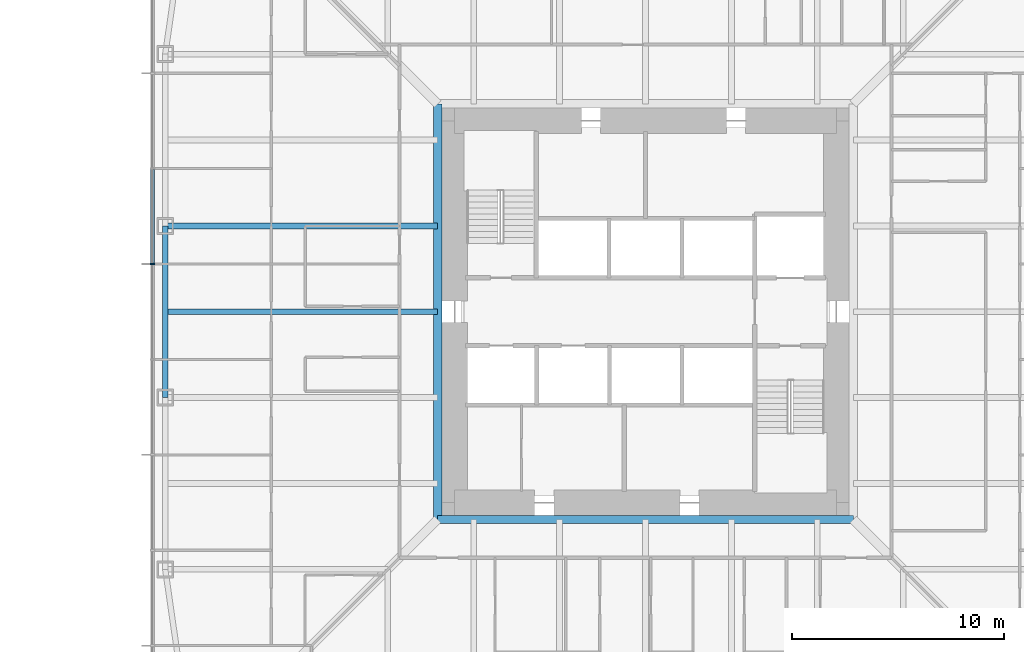
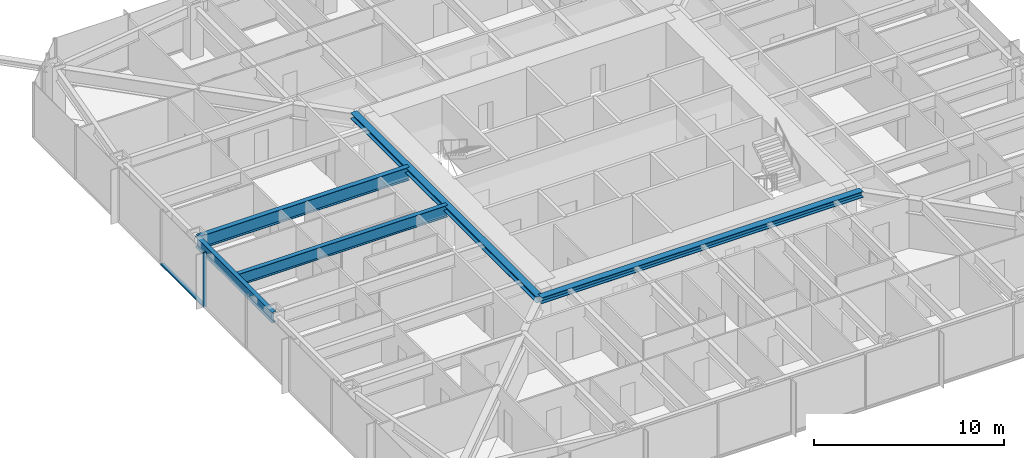
# One storey, part 4 of 26: 5 beams, 2 members, 1 element without a shape of its own.
"""IFC4 building model written with IfcOpenShell, lengths in metres."""

from ifc_helpers import new_model, si_unit, direction, frame, origin, origin_2d, place, context, subcontext, project, spatial, rectangle, i_section, extrude, material, material_profile, profile_set, type_object, element, aggregate, save


model = new_model("IFC4")

# Units and contexts
model_context = context("Model", 3, precision=1e-05, world=origin(), true_north=direction((0.0, 1.0)))
body_context = subcontext(model_context, "Body", "Model", "MODEL_VIEW")
ifc_project = project(units=[si_unit("LENGTHUNIT", "METRE"), si_unit("AREAUNIT", "SQUARE_METRE"), si_unit("VOLUMEUNIT", "CUBIC_METRE"), si_unit("PLANEANGLEUNIT", "RADIAN"), si_unit("MASSUNIT", "GRAM", prefix="KILO")], contexts=[model_context])

# Site, building, storey
site_placement = place(None, origin())
site = spatial("IfcSite", under=ifc_project, at=site_placement, CompositionType="ELEMENT")
building_placement = place(site_placement, origin())
building = spatial("IfcBuilding", under=site, at=building_placement, Name="Iwan Alto Co-Living Towers", CompositionType="ELEMENT")
storey_placement = place(building_placement, frame((0.0, 0.0, 57.0)))
storey = spatial("IfcBuildingStorey", under=building, at=storey_placement, Name="L15", CompositionType="ELEMENT", Elevation=57.0)

# Curtain wall, members
ifc_material_1 = material(Name="Bronze aluminium unitised frame", Category="aluminium")
curtain_wall_type = type_object("IfcCurtainWallType", Name="CURTAIN WALL CW-A", PredefinedType="NOTDEFINED", material=ifc_material_1)
curtain_wall_placement = place(storey_placement, origin())
curtain_wall = element("IfcCurtainWall", 1, at=curtain_wall_placement, inside=storey, type_object=curtain_wall_type, Name="T1 curtain wall W L15", PredefinedType="NOTDEFINED")
ifc_material_2 = material(Name="Aluminium 6063-T6 bronze anodised", Category="aluminium")
ifc_material_profile_1 = material_profile(ifc_material_2, rectangle(XDim=0.199951171875, YDim=0.080078125, at=origin_2d()), Name="AL 80X200")
ifc_profile_set_1 = profile_set([ifc_material_profile_1], Name="Aluminium 6063-T6 bronze anodised")
member_type_1 = type_object("IfcMemberType", Name="CW-A MULLION 80X200", PredefinedType="MULLION", material=ifc_profile_set_1)
member_1_placement = place(storey_placement, frame((-23.25, 2.25, 0.0), z_axis=(0.0, 0.0, 1.0), x_axis=(1.0, 0.0, 0.0)))
member_1 = element("IfcMember", 2, at=member_1_placement, type_object=member_type_1, Name="CW-A mullion 5", PredefinedType="MULLION", context=body_context, shape_type="SweptSolid", body=[
    extrude(rectangle(XDim=0.199951171875, YDim=0.080078125, at=origin_2d()), origin(), (0.0, 0.0, 1.0), 3.5),
])
ifc_material_3 = material(Name="Aluminium 6063-T6 bronze anodised", Category="aluminium")
ifc_material_profile_2 = material_profile(ifc_material_3, rectangle(XDim=0.199951171875, YDim=0.10009765625, at=origin_2d()), Name="AL 200X100")
ifc_profile_set_2 = profile_set([ifc_material_profile_2], Name="Aluminium 6063-T6 bronze anodised")
member_type_2 = type_object("IfcMemberType", Name="CW-A TRANSOM 200X100", PredefinedType="USERDEFINED", material=ifc_profile_set_2)
member_2_placement = place(storey_placement, frame((-23.25, 6.7099609375, 0.050048828125), z_axis=(0.0, -1.0, 0.0), x_axis=(1.0, 0.0, 0.0)))
member_2 = element("IfcMember", 3, at=member_2_placement, type_object=member_type_2, Name="CW-A transom 4.1", ObjectType="TRANSOM", PredefinedType="USERDEFINED", context=body_context, shape_type="SweptSolid", body=[
    extrude(rectangle(XDim=0.199951171875, YDim=0.10009765625, at=origin_2d()), origin(), (0.0, 0.0, 1.0), 4.419921875),
])
aggregate(curtain_wall, [member_1, member_2])

# Beams
ifc_material_4 = material(Name="Steel ASTM A992 Gr 50", Category="steel")
ifc_material_profile_3 = material_profile(ifc_material_4, i_section(OverallWidth=0.398681640625, OverallDepth=0.385986328125, WebThickness=0.02099609375, FlangeThickness=0.033203125, at=origin_2d()), Name="W14X176")
ifc_profile_set_3 = profile_set([ifc_material_profile_3], Name="Steel ASTM A992 Gr 50")
beam_type_1 = type_object("IfcBeamType", Name="T1 CORE LEDGER BEAM W14X176", PredefinedType="BEAM", material=ifc_profile_set_3)
for number, where, z_axis, x_axis, name in (
    (4, (-9.79931640625, -9.79931640625, 3.076904296875), (1.0, 0.0, 0.0), (0.0, 1.0, 0.0), "T1 core ledger beam S L16"),
    (5, (-9.79931640625, 9.79931640625, 3.076904296875), (0.0, -1.0, 0.0), (1.0, 0.0, 0.0), "T1 core ledger beam W L16"),
):
    element("IfcBeam", number, at=place(storey_placement, frame(where, z_axis=z_axis, x_axis=x_axis)), inside=storey, type_object=beam_type_1, Name=name, PredefinedType="BEAM", context=body_context, shape_type="SweptSolid", body=[
        extrude(i_section(OverallWidth=0.398681640625, OverallDepth=0.385986328125, WebThickness=0.02099609375, FlangeThickness=0.033203125, at=origin_2d()), origin(), (0.0, 0.0, 1.0), 19.5986328125),
    ])
ifc_material_5 = material(Name="Steel ASTM A992 Gr 50", Category="steel")
ifc_material_profile_4 = material_profile(ifc_material_5, i_section(OverallWidth=0.25390625, OverallDepth=0.683349609375, WebThickness=0.012451171875, FlangeThickness=0.018798828125, at=origin_2d()), Name="W27X94")
ifc_profile_set_4 = profile_set([ifc_material_profile_4], Name="Steel ASTM A992 Gr 50")
beam_type_2 = type_object("IfcBeamType", Name="T1 EDGE BEAM W27X94", PredefinedType="BEAM", material=ifc_profile_set_4)
beam_1_placement = place(storey_placement, frame((-22.64990234375, 4.050048828125, 2.928466796875), z_axis=(0.0, -1.0, 0.0), x_axis=(1.0, 0.0, 0.0)))
element("IfcBeam", 6, at=beam_1_placement, inside=storey, type_object=beam_type_2, Name="T1 edge beam W2 L16", PredefinedType="BEAM", context=body_context, shape_type="SweptSolid", body=[
    extrude(i_section(OverallWidth=0.25390625, OverallDepth=0.683349609375, WebThickness=0.012451171875, FlangeThickness=0.018798828125, at=origin_2d()), origin(), (0.0, 0.0, 1.0), 8.10009765625),
])
ifc_material_6 = material(Name="Steel ASTM A992 Gr 50", Category="steel")
ifc_material_profile_5 = material_profile(ifc_material_6, i_section(OverallWidth=0.2919921875, OverallDepth=0.8408203125, WebThickness=0.0146484375, FlangeThickness=0.021728515625, at=origin_2d()), Name="W33X130")
ifc_profile_set_5 = profile_set([ifc_material_profile_5], Name="Steel ASTM A992 Gr 50")
beam_type_3 = type_object("IfcBeamType", Name="T1 RADIAL BEAM W33X130", PredefinedType="BEAM", material=ifc_profile_set_5)
beam_2_placement = place(storey_placement, frame((-22.64990234375, 4.050048828125, 2.849609375), z_axis=(1.0, 0.0, 0.0), x_axis=(0.0, 1.0, 0.0)))
element("IfcBeam", 7, at=beam_2_placement, inside=storey, type_object=beam_type_3, Name="T1 radial beam W2 L16", PredefinedType="BEAM", context=body_context, shape_type="SweptSolid", body=[
    extrude(i_section(OverallWidth=0.2919921875, OverallDepth=0.8408203125, WebThickness=0.0146484375, FlangeThickness=0.021728515625, at=origin_2d()), origin(), (0.0, 0.0, 1.0), 12.8505859375),
])
ifc_material_7 = material(Name="Steel ASTM A992 Gr 50", Category="steel")
ifc_material_profile_6 = material_profile(ifc_material_7, i_section(OverallWidth=0.2666015625, OverallDepth=0.761962890625, WebThickness=0.014404296875, FlangeThickness=0.021484375, at=origin_2d()), Name="W30X116")
ifc_profile_set_6 = profile_set([ifc_material_profile_6], Name="Steel ASTM A992 Gr 50")
beam_type_4 = type_object("IfcBeamType", Name="T1 SECONDARY BEAM W30X116", PredefinedType="JOIST", material=ifc_profile_set_6)
beam_3_placement = place(storey_placement, frame((-22.64990234375, 0.0, 2.888916015625), z_axis=(1.0, 0.0, 0.0), x_axis=(0.0, 1.0, 0.0)))
element("IfcBeam", 8, at=beam_3_placement, inside=storey, type_object=beam_type_4, Name="T1 secondary beam W2 L16", PredefinedType="JOIST", context=body_context, shape_type="SweptSolid", body=[
    extrude(i_section(OverallWidth=0.2666015625, OverallDepth=0.761962890625, WebThickness=0.014404296875, FlangeThickness=0.021484375, at=origin_2d()), origin(), (0.0, 0.0, 1.0), 12.8505859375),
])

save(model, "model.ifc")
